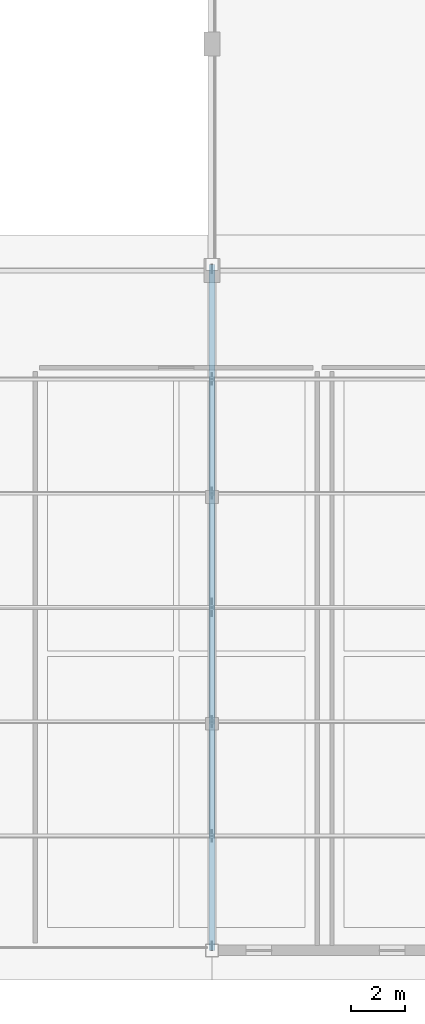
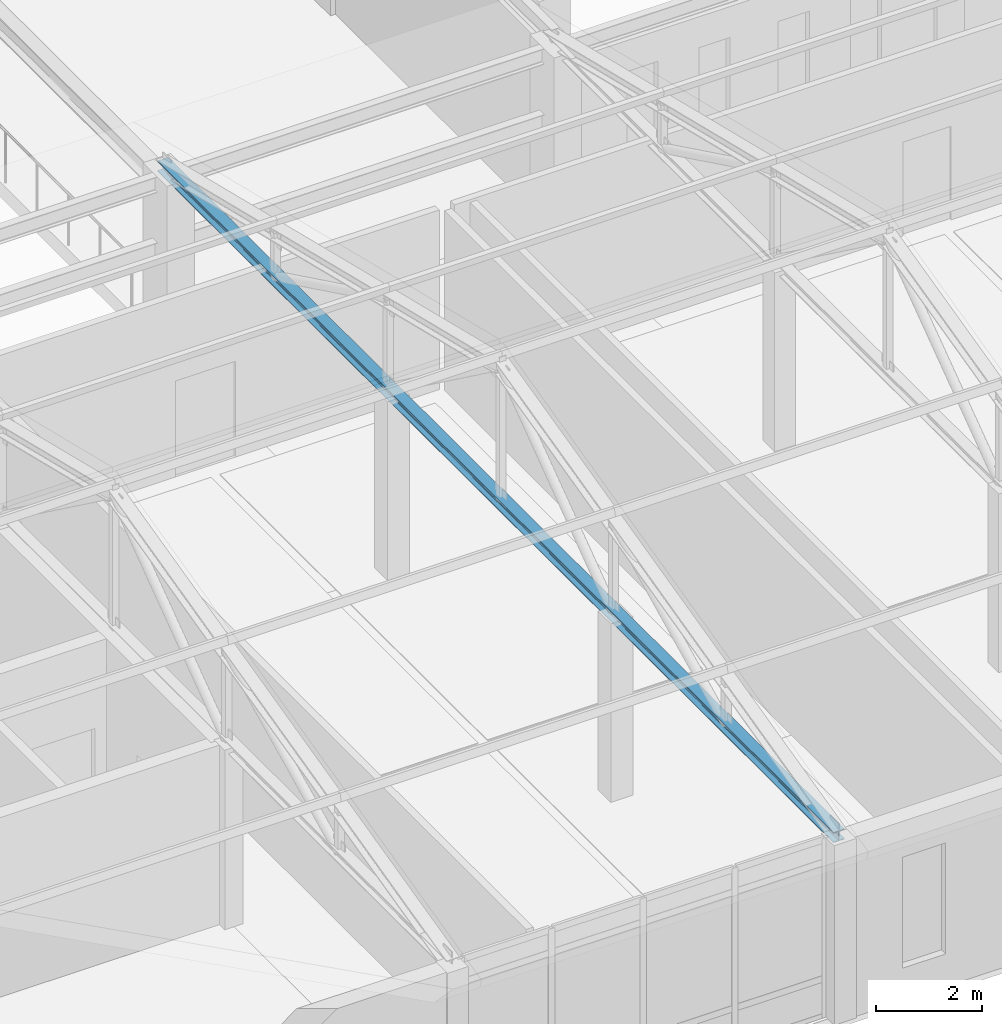
# One storey, part 21 of 192: 1 member.
"""IFC4 building model written with IfcOpenShell, lengths in metres."""

from ifc_helpers import new_model, si_unit, direction, frame, origin, origin_2d, place, context, subcontext, project, spatial, i_section, extrude, material, material_profile, profile_set, type_object, element, save


model = new_model("IFC4")

# Units and contexts
model_context = context("Model", 3, precision=1e-05, world=origin(), true_north=direction((0.0, 1.0)))
body_context = subcontext(model_context, "Body", "Model", "MODEL_VIEW")
ifc_project = project(units=[si_unit("LENGTHUNIT", "METRE"), si_unit("AREAUNIT", "SQUARE_METRE"), si_unit("VOLUMEUNIT", "CUBIC_METRE"), si_unit("PLANEANGLEUNIT", "RADIAN"), si_unit("MASSUNIT", "GRAM", prefix="KILO")], contexts=[model_context])

# Site, building, storey
site_placement = place(None, origin())
site = spatial("IfcSite", under=ifc_project, at=site_placement, CompositionType="ELEMENT")
building_placement = place(site_placement, origin())
building = spatial("IfcBuilding", under=site, at=building_placement, Name="Kveldsbrygga Polytechnic", CompositionType="ELEMENT")
storey_placement = place(building_placement, frame((0.0, 0.0, 5.43994140625)))
storey = spatial("IfcBuildingStorey", under=building, at=storey_placement, Name="L01", CompositionType="ELEMENT", Elevation=5.43994140625)

# Member
ifc_material = material(Name="Steel S355", Category="steel")
ifc_material_profile = material_profile(ifc_material, i_section(OverallWidth=0.239990234375, OverallDepth=0.239990234375, WebThickness=0.010009765625, FlangeThickness=0.01708984375, FilletRadius=0.02099609375, at=origin_2d()), Name="HEB 240")
ifc_profile_set = profile_set([ifc_material_profile], Name="Steel S355")
member_type = type_object("IfcMemberType", Name="TR-BOT-HEB240", PredefinedType="CHORD", material=ifc_profile_set)
member_placement = place(storey_placement, frame((25.199951171875, 0.0, 4.1201171875), z_axis=(0.0, 1.0, 0.0), x_axis=(-1.0, 0.0, 0.0)))
element("IfcMember", 1, at=member_placement, inside=storey, type_object=member_type, Name="Truss Bottom Chord V5S-T04-BC-1", PredefinedType="CHORD", context=body_context, shape_type="SweptSolid", body=[
    extrude(i_section(OverallWidth=0.239990234375, OverallDepth=0.239990234375, WebThickness=0.010009765625, FlangeThickness=0.01708984375, FilletRadius=0.02099609375, at=origin_2d()), origin(), (0.0, 0.0, 1.0), 25.419921875),
])

save(model, "model.ifc")
